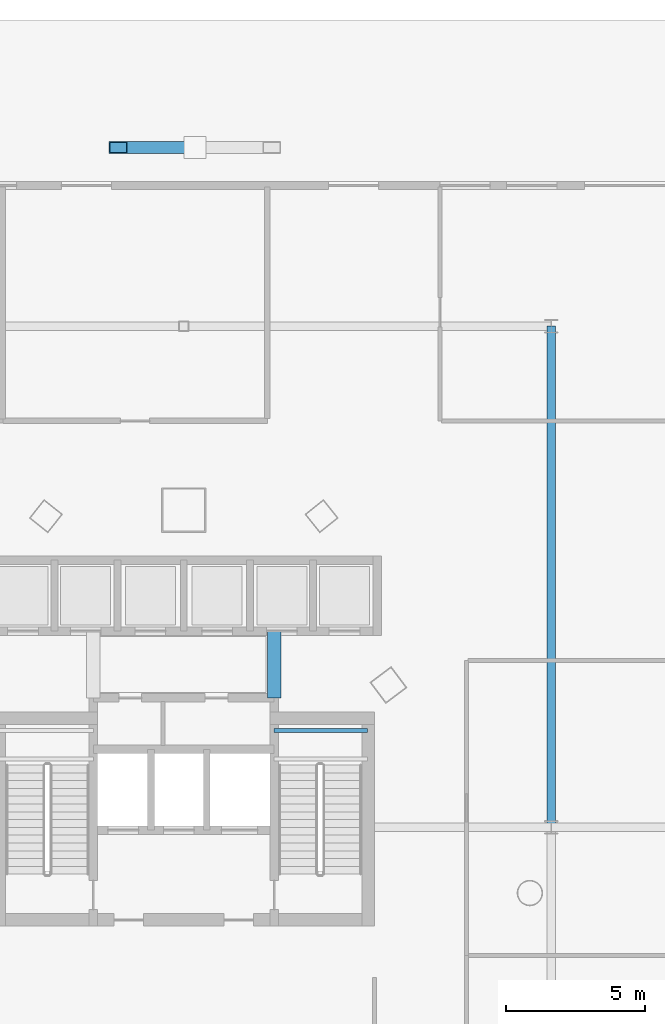
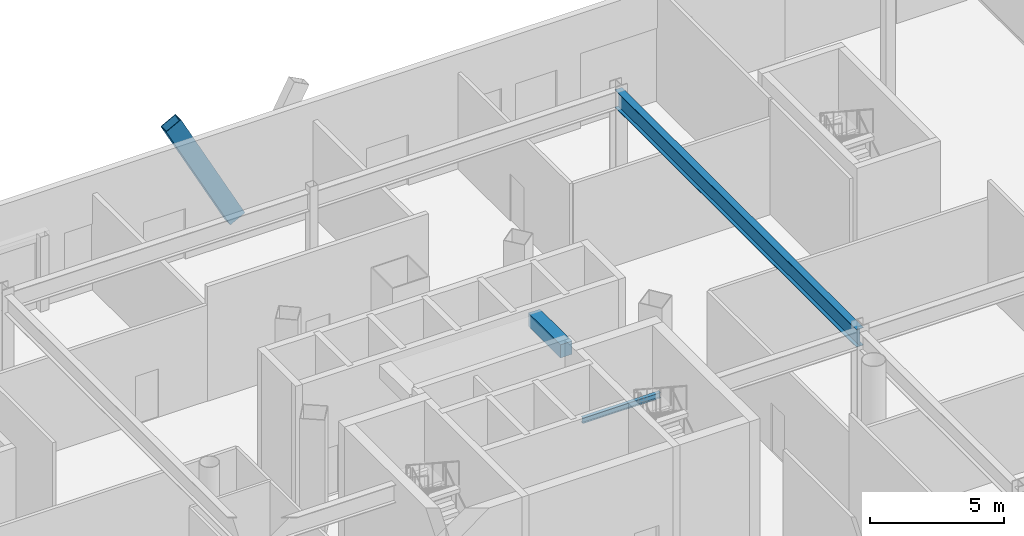
# One storey, part 21 of 38: 3 beams, 1 member.
"""IFC4 building model written with IfcOpenShell, lengths in metres."""

from ifc_helpers import new_model, si_unit, direction, frame, origin, origin_2d, place, context, subcontext, project, spatial, rectangle, hollow_rectangle, i_section, extrude, material, material_profile, profile_set, type_object, element, save


model = new_model("IFC4")

# Units and contexts
model_context = context("Model", 3, precision=1e-05, world=origin(), true_north=direction((0.0, 1.0)))
body_context = subcontext(model_context, "Body", "Model", "MODEL_VIEW")
ifc_project = project(units=[si_unit("LENGTHUNIT", "METRE"), si_unit("AREAUNIT", "SQUARE_METRE"), si_unit("VOLUMEUNIT", "CUBIC_METRE"), si_unit("PLANEANGLEUNIT", "RADIAN"), si_unit("MASSUNIT", "GRAM", prefix="KILO")], contexts=[model_context])

# Site, building, storey
site_placement = place(None, origin())
site = spatial("IfcSite", under=ifc_project, at=site_placement, CompositionType="ELEMENT")
building_placement = place(site_placement, origin())
building = spatial("IfcBuilding", under=site, at=building_placement, Name="Orvanel Arch Residences", CompositionType="ELEMENT")
storey_placement = place(building_placement, origin())
storey = spatial("IfcBuildingStorey", under=building, at=storey_placement, Name="L00", CompositionType="ELEMENT", Elevation=0.0)

# Beams
ifc_material_1 = material(Name="Structural steel AS/NZS 3678 Grade 350", Category="steel")
ifc_material_profile_1 = material_profile(ifc_material_1, i_section(OverallWidth=0.300048828125, OverallDepth=0.81591796875, WebThickness=0.013916015625, FlangeThickness=0.02392578125, at=origin_2d()), Name="800WB192")
ifc_profile_set_1 = profile_set([ifc_material_profile_1], Name="Structural steel AS/NZS 3678 Grade 350")
beam_type_1 = type_object("IfcBeamType", Name="BG-800WB", PredefinedType="BEAM", material=ifc_profile_set_1)
beam_1_placement = place(storey_placement, frame((46.199951171875, 30.0, 4.81201171875), z_axis=(0.0, 1.0, 0.0), x_axis=(-1.0, 0.0, 0.0)))
element("IfcBeam", 1, at=beam_1_placement, inside=storey, type_object=beam_type_1, Name="L00 North-South Podium Girder XE46-N", PredefinedType="BEAM", context=body_context, shape_type="SweptSolid", body=[
    extrude(i_section(OverallWidth=0.300048828125, OverallDepth=0.81591796875, WebThickness=0.013916015625, FlangeThickness=0.02392578125, at=origin_2d()), origin(), (0.0, 0.0, 1.0), 18.0),
])
ifc_material_2 = material(Name="Structural steel AS/NZS 3679.1 Grade 300 (300 MPa)", Category="steel")
ifc_material_profile_2 = material_profile(ifc_material_2, i_section(OverallWidth=0.14599609375, OverallDepth=0.251953125, WebThickness=0.006103515625, FlangeThickness=0.008544921875, at=origin_2d()), Name="250UB31.4")
ifc_profile_set_2 = profile_set([ifc_material_profile_2], Name="Structural steel AS/NZS 3679.1 Grade 300 (300 MPa)")
beam_type_2 = type_object("IfcBeamType", Name="BJ-250UB", PredefinedType="JOIST", material=ifc_profile_set_2)
beam_2_placement = place(storey_placement, frame((36.25, 33.47998046875, 2.424072265625), z_axis=(1.0, 0.0, 0.0), x_axis=(0.0, 1.0, 0.0)))
element("IfcBeam", 2, at=beam_2_placement, inside=storey, type_object=beam_type_2, Name="L00 ST-2 Half-Landing Support Beam 1.2", PredefinedType="JOIST", context=body_context, shape_type="SweptSolid", body=[
    extrude(i_section(OverallWidth=0.14599609375, OverallDepth=0.251953125, WebThickness=0.006103515625, FlangeThickness=0.008544921875, at=origin_2d()), origin(), (0.0, 0.0, 1.0), 3.35009765625),
])

# Member
ifc_material_profile_3 = material_profile(ifc_material_1, hollow_rectangle(XDim=0.419921875, YDim=0.719970703125, WallThickness=0.02490234375, at=origin_2d()), Name="RHS720x420x25")
ifc_profile_set_3 = profile_set([ifc_material_profile_3], Name="Structural steel AS/NZS 3678 Grade 350")
member_type = type_object("IfcMemberType", Name="BR-720RHS-EXT", PredefinedType="BRACE", material=ifc_profile_set_3)
member_placement = place(storey_placement, frame((33.39990234375, 54.419921875, 0.0), z_axis=(-0.468666931249, 0.0, 0.883374952981), x_axis=(0.0, -1.0, 0.0)))
element("IfcMember", 3, at=member_placement, inside=storey, type_object=member_type, Name="L00 Podium Multi-Storey V-Strut Pair N2 Leg 1", PredefinedType="BRACE", context=body_context, shape_type="SweptSolid", body=[
    extrude(hollow_rectangle(XDim=0.419921875, YDim=0.719970703125, WallThickness=0.02490234375, at=origin_2d()), origin(), (0.0, 0.0, 1.0), 5.886474609375),
])

# Beam
ifc_material_3 = material(Name="Concrete S65 (65 MPa)", Category="concrete")
ifc_material_profile_4 = material_profile(ifc_material_3, rectangle(XDim=0.5, YDim=0.60009765625, at=origin_2d()), Name="RC500x600")
ifc_profile_set_4 = profile_set([ifc_material_profile_4], Name="Concrete S65 (65 MPa)")
beam_type_3 = type_object("IfcBeamType", Name="CB-500x600", PredefinedType="LINTEL", material=ifc_profile_set_4)
beam_3_placement = place(storey_placement, frame((36.25, 34.64990234375, 4.919921875), z_axis=(0.0, 1.0, 0.0), x_axis=(-1.0, 0.0, 0.0)))
element("IfcBeam", 4, at=beam_3_placement, inside=storey, type_object=beam_type_3, Name="L00 East Core Lobby Coupling Lintel Beam", PredefinedType="LINTEL", context=body_context, shape_type="SweptSolid", body=[
    extrude(rectangle(XDim=0.5, YDim=0.60009765625, at=origin_2d()), origin(), (0.0, 0.0, 1.0), 2.400146484375),
])

save(model, "model.ifc")
